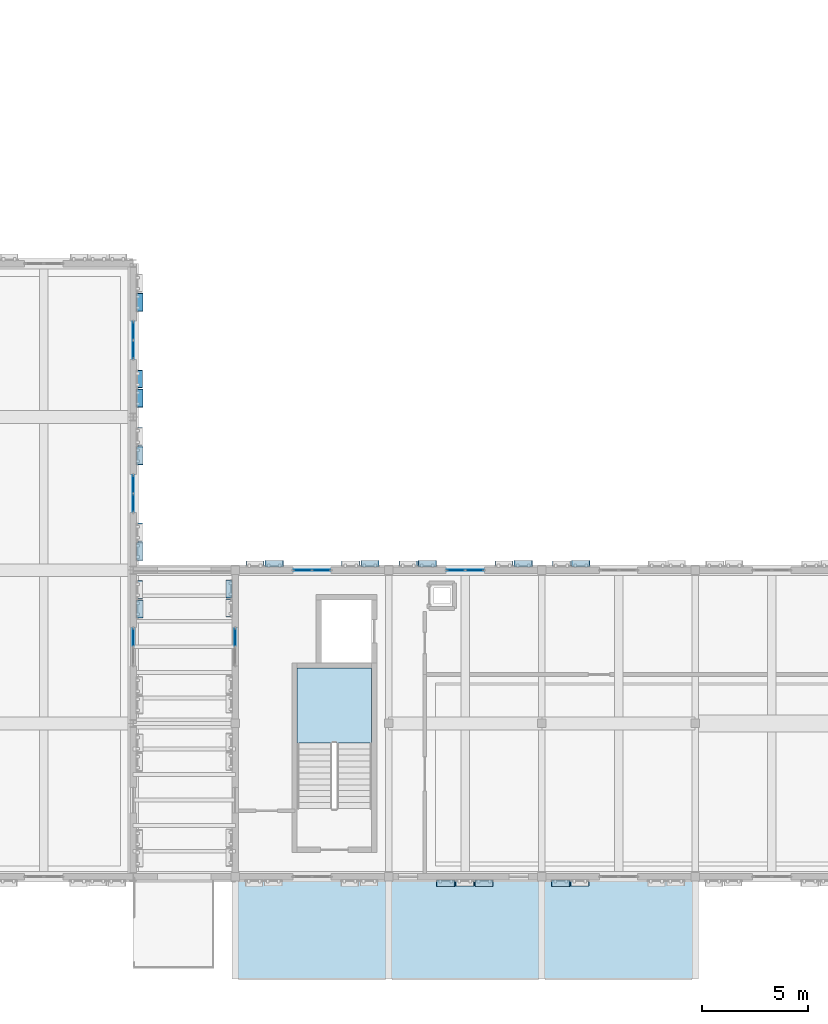
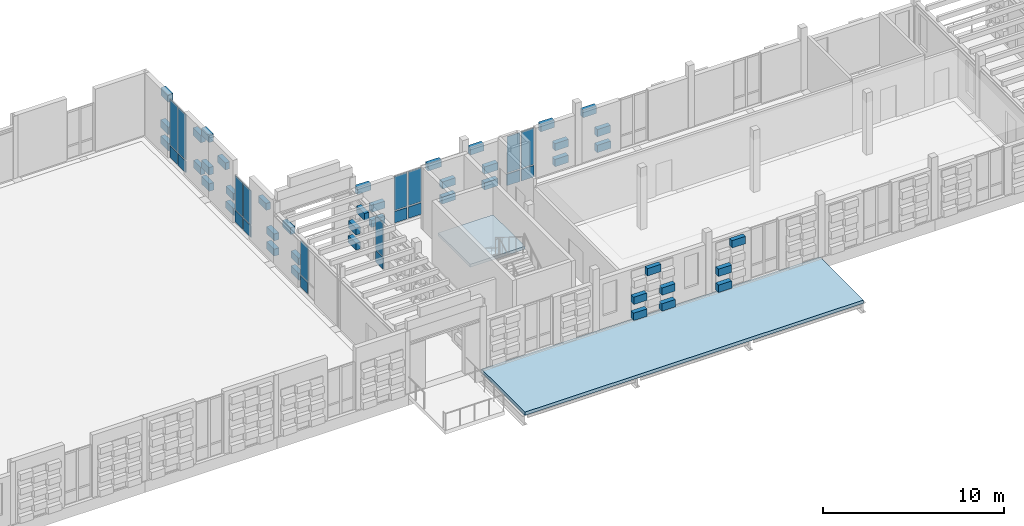
# One storey, part 45 of 99: 63 plates, 2 slabs, 7 elements without a shape of their own.
"""IFC4 building model written with IfcOpenShell, lengths in metres."""

from ifc_helpers import new_model, si_unit, direction, frame, origin, origin_2d, place, context, subcontext, project, spatial, polyline, rectangle, outline, extrude, material, layer, layer_set, type_object, element, aggregate, save


model = new_model("IFC4")

# Units and contexts
model_context = context("Model", 3, precision=1e-05, world=origin(), true_north=direction((0.0, 1.0)))
body_context = subcontext(model_context, "Body", "Model", "MODEL_VIEW")
ifc_project = project(units=[si_unit("LENGTHUNIT", "METRE"), si_unit("AREAUNIT", "SQUARE_METRE"), si_unit("VOLUMEUNIT", "CUBIC_METRE"), si_unit("PLANEANGLEUNIT", "RADIAN"), si_unit("MASSUNIT", "GRAM", prefix="KILO")], contexts=[model_context])

# Site, building, storey
site_placement = place(None, origin())
site = spatial("IfcSite", under=ifc_project, at=site_placement, CompositionType="ELEMENT")
building_placement = place(site_placement, origin())
building = spatial("IfcBuilding", under=site, at=building_placement, Name="Kahlenmark Community Centre", CompositionType="ELEMENT")
storey_placement = place(building_placement, frame((0.0, 0.0, 5.39990234375)))
storey = spatial("IfcBuildingStorey", under=building, at=storey_placement, Name="L01", CompositionType="ELEMENT", Elevation=5.39990234375)

# Curtain wall, plate
ifc_material_1 = material(Name="Anodised aluminium unitised curtain wall", Category="aluminium")
curtain_wall_type_1 = type_object("IfcCurtainWallType", Name="CWT-UNIT-180X321", PredefinedType="USERDEFINED", material=ifc_material_1)
curtain_wall_1_placement = place(storey_placement, origin())
curtain_wall_1 = element("IfcCurtainWall", 1, at=curtain_wall_1_placement, inside=storey, type_object=curtain_wall_type_1, Name="Unitised curtain wall CW-006", ObjectType="UNITISED CURTAIN WALL", PredefinedType="USERDEFINED")
ifc_material_2 = material(Name="Triple low-e solar-control glass unit", Category="glass")
ifc_layer_1 = layer(ifc_material_2, 0.0439453125)
ifc_layer_set_1 = layer_set([ifc_layer_1], Name="Triple low-e solar-control glass unit")
plate_type_1 = type_object("IfcPlateType", Name="PLT-CW-GLZ-820X2280", PredefinedType="CURTAIN_PANEL", material=ifc_layer_set_1)
plate_1_placement = place(storey_placement, frame((46.0, 20.050048828125, 0.89013671875), z_axis=(0.0, 0.0, 1.0), x_axis=(0.0, 1.0, 0.0)))
plate_1 = element("IfcPlate", 2, at=plate_1_placement, type_object=plate_type_1, Name="CW-006 glazed panel 2", PredefinedType="CURTAIN_PANEL", context=body_context, shape_type="SweptSolid", body=[
    extrude(rectangle(XDim=0.820068359375, YDim=0.0439453125, at=origin_2d()), origin(), (0.0, 0.0, 1.0), 2.280029296875),
])

# Curtain wall, plates
curtain_wall_2_placement = place(storey_placement, origin())
curtain_wall_2 = element("IfcCurtainWall", 3, at=curtain_wall_2_placement, inside=storey, type_object=curtain_wall_type_1, Name="Unitised curtain wall CW-007", ObjectType="UNITISED CURTAIN WALL", PredefinedType="USERDEFINED")
plate_2_placement = place(storey_placement, frame((46.0, 26.35009765625, 0.89013671875), z_axis=(0.0, 0.0, 1.0), x_axis=(0.0, 1.0, 0.0)))
plate_2 = element("IfcPlate", 4, at=plate_2_placement, type_object=plate_type_1, Name="CW-007 glazed panel 1", PredefinedType="CURTAIN_PANEL", context=body_context, shape_type="SweptSolid", body=[
    extrude(rectangle(XDim=0.820068359375, YDim=0.0439453125, at=origin_2d()), origin(), (0.0, 0.0, 1.0), 2.280029296875),
])
plate_3_placement = place(storey_placement, frame((46.0, 27.25, 0.89013671875), z_axis=(0.0, 0.0, 1.0), x_axis=(0.0, 1.0, 0.0)))
plate_3 = element("IfcPlate", 5, at=plate_3_placement, type_object=plate_type_1, Name="CW-007 glazed panel 2", PredefinedType="CURTAIN_PANEL", context=body_context, shape_type="SweptSolid", body=[
    extrude(rectangle(XDim=0.820068359375, YDim=0.0439453125, at=origin_2d()), origin(), (0.0, 0.0, 1.0), 2.280029296875),
])

curtain_wall_3_placement = place(storey_placement, origin())
curtain_wall_3 = element("IfcCurtainWall", 6, at=curtain_wall_3_placement, inside=storey, type_object=curtain_wall_type_1, Name="Unitised curtain wall CW-023", ObjectType="UNITISED CURTAIN WALL", PredefinedType="USERDEFINED")
plate_4_placement = place(storey_placement, frame((54.85009765625, 23.199951171875, 0.89013671875), z_axis=(0.0, 0.0, 1.0), x_axis=(-1.0, 0.0, 0.0)))
plate_4 = element("IfcPlate", 7, at=plate_4_placement, type_object=plate_type_1, Name="CW-023 glazed panel 1", PredefinedType="CURTAIN_PANEL", context=body_context, shape_type="SweptSolid", body=[
    extrude(rectangle(XDim=0.820068359375, YDim=0.0439453125, at=origin_2d()), origin(), (0.0, 0.0, 1.0), 2.280029296875),
])
plate_5_placement = place(storey_placement, frame((53.949951171875, 23.199951171875, 0.89013671875), z_axis=(0.0, 0.0, 1.0), x_axis=(-1.0, 0.0, 0.0)))
plate_5 = element("IfcPlate", 8, at=plate_5_placement, type_object=plate_type_1, Name="CW-023 glazed panel 2", PredefinedType="CURTAIN_PANEL", context=body_context, shape_type="SweptSolid", body=[
    extrude(rectangle(XDim=0.820068359375, YDim=0.0439453125, at=origin_2d()), origin(), (0.0, 0.0, 1.0), 2.280029296875),
])

# Curtain wall, plate
curtain_wall_4_placement = place(storey_placement, origin())
curtain_wall_4 = element("IfcCurtainWall", 9, at=curtain_wall_4_placement, inside=storey, type_object=curtain_wall_type_1, Name="Unitised curtain wall CW-027", ObjectType="UNITISED CURTAIN WALL", PredefinedType="USERDEFINED")
plate_6_placement = place(storey_placement, frame((50.800048828125, 20.050048828125, 0.89013671875), z_axis=(0.0, 0.0, 1.0), x_axis=(0.0, -1.0, 0.0)))
plate_6 = element("IfcPlate", 10, at=plate_6_placement, type_object=plate_type_1, Name="CW-027 glazed panel 1", PredefinedType="CURTAIN_PANEL", context=body_context, shape_type="SweptSolid", body=[
    extrude(rectangle(XDim=0.820068359375, YDim=0.0439453125, at=origin_2d()), origin(), (0.0, 0.0, 1.0), 2.280029296875),
])

# Curtain wall, plates
curtain_wall_type_2 = type_object("IfcCurtainWallType", Name="CWT-UNIT-180X337", PredefinedType="USERDEFINED", material=ifc_material_1)
curtain_wall_5_placement = place(storey_placement, origin())
curtain_wall_5 = element("IfcCurtainWall", 11, at=curtain_wall_5_placement, inside=storey, type_object=curtain_wall_type_2, Name="Unitised curtain wall CW-024", ObjectType="UNITISED CURTAIN WALL", PredefinedType="USERDEFINED")
ifc_layer_2 = layer(ifc_material_2, 0.0439453125)
ifc_layer_set_2 = layer_set([ifc_layer_2], Name="Triple low-e solar-control glass unit")
plate_type_2 = type_object("IfcPlateType", Name="PLT-CW-GLZ-820X2440", PredefinedType="CURTAIN_PANEL", material=ifc_layer_set_2)
plate_7_placement = place(storey_placement, frame((62.050048828125, 23.199951171875, 0.89013671875), z_axis=(0.0, 0.0, 1.0), x_axis=(-1.0, 0.0, 0.0)))
plate_7 = element("IfcPlate", 12, at=plate_7_placement, type_object=plate_type_2, Name="CW-024 glazed panel 1", PredefinedType="CURTAIN_PANEL", context=body_context, shape_type="SweptSolid", body=[
    extrude(rectangle(XDim=0.820068359375, YDim=0.0439453125, at=origin_2d()), origin(), (0.0, 0.0, 1.0), 2.43994140625),
])
plate_8_placement = place(storey_placement, frame((61.14990234375, 23.199951171875, 0.89013671875), z_axis=(0.0, 0.0, 1.0), x_axis=(-1.0, 0.0, 0.0)))
plate_8 = element("IfcPlate", 13, at=plate_8_placement, type_object=plate_type_2, Name="CW-024 glazed panel 2", PredefinedType="CURTAIN_PANEL", context=body_context, shape_type="SweptSolid", body=[
    extrude(rectangle(XDim=0.820068359375, YDim=0.0439453125, at=origin_2d()), origin(), (0.0, 0.0, 1.0), 2.43994140625),
])

curtain_wall_type_3 = type_object("IfcCurtainWallType", Name="CWT-UNIT-180X398", PredefinedType="USERDEFINED", material=ifc_material_1)
curtain_wall_6_placement = place(storey_placement, origin())
curtain_wall_6 = element("IfcCurtainWall", 14, at=curtain_wall_6_placement, inside=storey, type_object=curtain_wall_type_3, Name="Unitised curtain wall CW-008", ObjectType="UNITISED CURTAIN WALL", PredefinedType="USERDEFINED")
ifc_layer_3 = layer(ifc_material_2, 0.0439453125)
ifc_layer_set_3 = layer_set([ifc_layer_3], Name="Triple low-e solar-control glass unit")
plate_type_3 = type_object("IfcPlateType", Name="PLT-CW-GLZ-820X3050", PredefinedType="CURTAIN_PANEL", material=ifc_layer_set_3)
plate_9_placement = place(storey_placement, frame((46.0, 33.550048828125, 0.89013671875), z_axis=(0.0, 0.0, 1.0), x_axis=(0.0, 1.0, 0.0)))
plate_9 = element("IfcPlate", 15, at=plate_9_placement, type_object=plate_type_3, Name="CW-008 glazed panel 1", PredefinedType="CURTAIN_PANEL", context=body_context, shape_type="SweptSolid", body=[
    extrude(rectangle(XDim=0.820068359375, YDim=0.0439453125, at=origin_2d()), origin(), (0.0, 0.0, 1.0), 3.050048828125),
])
plate_10_placement = place(storey_placement, frame((46.0, 34.449951171875, 0.89013671875), z_axis=(0.0, 0.0, 1.0), x_axis=(0.0, 1.0, 0.0)))
plate_10 = element("IfcPlate", 16, at=plate_10_placement, type_object=plate_type_3, Name="CW-008 glazed panel 2", PredefinedType="CURTAIN_PANEL", context=body_context, shape_type="SweptSolid", body=[
    extrude(rectangle(XDim=0.820068359375, YDim=0.0439453125, at=origin_2d()), origin(), (0.0, 0.0, 1.0), 3.050048828125),
])

# Plate
ifc_material_3 = material(Name="Warm terracotta insulated spandrel cassette", Category="masonry")
ifc_layer_4 = layer(ifc_material_3, 0.06005859375)
ifc_layer_set_4 = layer_set([ifc_layer_4], Name="Warm terracotta insulated spandrel cassette")
plate_type_4 = type_object("IfcPlateType", Name="PLT-CW-SPD-820X770", PredefinedType="CURTAIN_PANEL", material=ifc_layer_set_4)
plate_11_placement = place(storey_placement, frame((46.0, 20.050048828125, 0.0400390625), z_axis=(0.0, 0.0, 1.0), x_axis=(0.0, 1.0, 0.0)))
plate_11 = element("IfcPlate", 17, at=plate_11_placement, type_object=plate_type_4, Name="CW-006 spandrel 2", PredefinedType="CURTAIN_PANEL", context=body_context, shape_type="SweptSolid", body=[
    extrude(rectangle(XDim=0.820068359375, YDim=0.06005859375, at=origin_2d()), origin(), (0.0, 0.0, 1.0), 0.77001953125),
])

aggregate(curtain_wall_1, [plate_11, plate_1])

plate_12_placement = place(storey_placement, frame((46.0, 26.35009765625, 0.0400390625), z_axis=(0.0, 0.0, 1.0), x_axis=(0.0, 1.0, 0.0)))
plate_12 = element("IfcPlate", 18, at=plate_12_placement, type_object=plate_type_4, Name="CW-007 spandrel 1", PredefinedType="CURTAIN_PANEL", context=body_context, shape_type="SweptSolid", body=[
    extrude(rectangle(XDim=0.820068359375, YDim=0.06005859375, at=origin_2d()), origin(), (0.0, 0.0, 1.0), 0.77001953125),
])

plate_13_placement = place(storey_placement, frame((46.0, 27.25, 0.0400390625), z_axis=(0.0, 0.0, 1.0), x_axis=(0.0, 1.0, 0.0)))
plate_13 = element("IfcPlate", 19, at=plate_13_placement, type_object=plate_type_4, Name="CW-007 spandrel 2", PredefinedType="CURTAIN_PANEL", context=body_context, shape_type="SweptSolid", body=[
    extrude(rectangle(XDim=0.820068359375, YDim=0.06005859375, at=origin_2d()), origin(), (0.0, 0.0, 1.0), 0.77001953125),
])

aggregate(curtain_wall_2, [plate_12, plate_2, plate_13, plate_3])

plate_14_placement = place(storey_placement, frame((46.0, 33.550048828125, 0.0400390625), z_axis=(0.0, 0.0, 1.0), x_axis=(0.0, 1.0, 0.0)))
plate_14 = element("IfcPlate", 20, at=plate_14_placement, type_object=plate_type_4, Name="CW-008 spandrel 1", PredefinedType="CURTAIN_PANEL", context=body_context, shape_type="SweptSolid", body=[
    extrude(rectangle(XDim=0.820068359375, YDim=0.06005859375, at=origin_2d()), origin(), (0.0, 0.0, 1.0), 0.77001953125),
])

plate_15_placement = place(storey_placement, frame((46.0, 34.449951171875, 0.0400390625), z_axis=(0.0, 0.0, 1.0), x_axis=(0.0, 1.0, 0.0)))
plate_15 = element("IfcPlate", 21, at=plate_15_placement, type_object=plate_type_4, Name="CW-008 spandrel 2", PredefinedType="CURTAIN_PANEL", context=body_context, shape_type="SweptSolid", body=[
    extrude(rectangle(XDim=0.820068359375, YDim=0.06005859375, at=origin_2d()), origin(), (0.0, 0.0, 1.0), 0.77001953125),
])

aggregate(curtain_wall_6, [plate_14, plate_9, plate_15, plate_10])

plate_16_placement = place(storey_placement, frame((54.85009765625, 23.199951171875, 0.0400390625), z_axis=(0.0, 0.0, 1.0), x_axis=(-1.0, 0.0, 0.0)))
plate_16 = element("IfcPlate", 22, at=plate_16_placement, type_object=plate_type_4, Name="CW-023 spandrel 1", PredefinedType="CURTAIN_PANEL", context=body_context, shape_type="SweptSolid", body=[
    extrude(rectangle(XDim=0.820068359375, YDim=0.06005859375, at=origin_2d()), origin(), (0.0, 0.0, 1.0), 0.77001953125),
])

plate_17_placement = place(storey_placement, frame((53.949951171875, 23.199951171875, 0.0400390625), z_axis=(0.0, 0.0, 1.0), x_axis=(-1.0, 0.0, 0.0)))
plate_17 = element("IfcPlate", 23, at=plate_17_placement, type_object=plate_type_4, Name="CW-023 spandrel 2", PredefinedType="CURTAIN_PANEL", context=body_context, shape_type="SweptSolid", body=[
    extrude(rectangle(XDim=0.820068359375, YDim=0.06005859375, at=origin_2d()), origin(), (0.0, 0.0, 1.0), 0.77001953125),
])

aggregate(curtain_wall_3, [plate_16, plate_4, plate_17, plate_5])

plate_18_placement = place(storey_placement, frame((62.050048828125, 23.199951171875, 0.0400390625), z_axis=(0.0, 0.0, 1.0), x_axis=(-1.0, 0.0, 0.0)))
plate_18 = element("IfcPlate", 24, at=plate_18_placement, type_object=plate_type_4, Name="CW-024 spandrel 1", PredefinedType="CURTAIN_PANEL", context=body_context, shape_type="SweptSolid", body=[
    extrude(rectangle(XDim=0.820068359375, YDim=0.06005859375, at=origin_2d()), origin(), (0.0, 0.0, 1.0), 0.77001953125),
])

plate_19_placement = place(storey_placement, frame((61.14990234375, 23.199951171875, 0.0400390625), z_axis=(0.0, 0.0, 1.0), x_axis=(-1.0, 0.0, 0.0)))
plate_19 = element("IfcPlate", 25, at=plate_19_placement, type_object=plate_type_4, Name="CW-024 spandrel 2", PredefinedType="CURTAIN_PANEL", context=body_context, shape_type="SweptSolid", body=[
    extrude(rectangle(XDim=0.820068359375, YDim=0.06005859375, at=origin_2d()), origin(), (0.0, 0.0, 1.0), 0.77001953125),
])

aggregate(curtain_wall_5, [plate_18, plate_7, plate_19, plate_8])

plate_20_placement = place(storey_placement, frame((50.800048828125, 20.050048828125, 0.0400390625), z_axis=(0.0, 0.0, 1.0), x_axis=(0.0, -1.0, 0.0)))
plate_20 = element("IfcPlate", 26, at=plate_20_placement, type_object=plate_type_4, Name="CW-027 spandrel 1", PredefinedType="CURTAIN_PANEL", context=body_context, shape_type="SweptSolid", body=[
    extrude(rectangle(XDim=0.820068359375, YDim=0.06005859375, at=origin_2d()), origin(), (0.0, 0.0, 1.0), 0.77001953125),
])

aggregate(curtain_wall_4, [plate_20, plate_6])

# Plates
ifc_material_4 = material(Name="Extruded glazed terracotta weave cassette", Category="masonry")
ifc_layer_5 = layer(ifc_material_4, 0.300048828125)
ifc_layer_set_5 = layer_set([ifc_layer_5], Name="Extruded glazed terracotta weave cassette")
plate_type_5 = type_object("IfcPlateType", Name="PLT-TC-TC-R34-820X300X506", PredefinedType="SHEET", material=ifc_layer_set_5)
for number, where, z_axis, x_axis, name in (
    (27, (46.300048828125, 31.280029296875, 3.3759765625), (0.0, 0.0, 1.0), (0.0, 1.0, 0.0), "Basketweave terracotta cassette 0463"),
    (28, (46.300048828125, 35.780029296875, 3.3759765625), (0.0, 0.0, 1.0), (0.0, 1.0, 0.0), "Basketweave terracotta cassette 0477"),
):
    element("IfcPlate", number, at=place(storey_placement, frame(where, z_axis=z_axis, x_axis=x_axis)), inside=storey, type_object=plate_type_5, Name=name, PredefinedType="SHEET", context=body_context, shape_type="SweptSolid", body=[
        extrude(rectangle(XDim=0.820068359375, YDim=0.300048828125, at=origin_2d()), origin(), (0.0, 0.0, 1.0), 0.506103515625),
    ])
ifc_layer_6 = layer(ifc_material_4, 0.300048828125)
ifc_layer_set_6 = layer_set([ifc_layer_6], Name="Extruded glazed terracotta weave cassette")
plate_type_6 = type_object("IfcPlateType", Name="PLT-TC-TC-R34-840X300X468", PredefinedType="SHEET", material=ifc_layer_set_6)
for number, where, z_axis, x_axis, name in (
    (29, (46.300048828125, 21.3798828125, 1.1162109375), (0.0, 0.0, 1.0), (0.0, 1.0, 0.0), "Basketweave terracotta cassette 0423"),
    (30, (46.300048828125, 24.080078125, 1.1162109375), (0.0, 0.0, 1.0), (0.0, 1.0, 0.0), "Basketweave terracotta cassette 0435"),
    (31, (46.300048828125, 28.580078125, 1.1162109375), (0.0, 0.0, 1.0), (0.0, 1.0, 0.0), "Basketweave terracotta cassette 0447"),
    (32, (57.1201171875, 23.5, 1.1162109375), (0.0, 0.0, 1.0), (-1.0, 0.0, 0.0), "Basketweave terracotta cassette 1051"),
    (33, (52.6201171875, 23.5, 1.1162109375), (0.0, 0.0, 1.0), (-1.0, 0.0, 0.0), "Basketweave terracotta cassette 1063"),
    (34, (50.5, 22.320068359375, 1.1162109375), (0.0, 0.0, 1.0), (0.0, -1.0, 0.0), "Basketweave terracotta cassette 1189"),
):
    element("IfcPlate", number, at=place(storey_placement, frame(where, z_axis=z_axis, x_axis=x_axis)), inside=storey, type_object=plate_type_6, Name=name, PredefinedType="SHEET", context=body_context, shape_type="SweptSolid", body=[
        extrude(rectangle(XDim=0.840087890625, YDim=0.300048828125, at=origin_2d()), origin(), (0.0, 0.0, 1.0), 0.468017578125),
    ])
ifc_layer_7 = layer(ifc_material_4, 0.300048828125)
ifc_layer_set_7 = layer_set([ifc_layer_7], Name="Extruded glazed terracotta weave cassette")
plate_type_7 = type_object("IfcPlateType", Name="PLT-TC-TC-R34-840X300X495", PredefinedType="SHEET", material=ifc_layer_set_7)
for number, where, z_axis, x_axis, name in (
    (35, (60.679931640625, 8.5, 1.169921875), (0.0, 0.0, 1.0), (1.0, 0.0, 0.0), "Basketweave terracotta cassette 0961"),
    (36, (62.47998046875, 8.5, 1.169921875), (0.0, 0.0, 1.0), (1.0, 0.0, 0.0), "Basketweave terracotta cassette 0973"),
    (37, (66.080078125, 8.5, 1.169921875), (0.0, 0.0, 1.0), (1.0, 0.0, 0.0), "Basketweave terracotta cassette 0979"),
    (38, (64.320068359375, 23.5, 1.169921875), (0.0, 0.0, 1.0), (-1.0, 0.0, 0.0), "Basketweave terracotta cassette 1075"),
    (39, (59.820068359375, 23.5, 1.169921875), (0.0, 0.0, 1.0), (-1.0, 0.0, 0.0), "Basketweave terracotta cassette 1087"),
    (40, (67.02001953125, 23.5, 1.169921875), (0.0, 0.0, 1.0), (-1.0, 0.0, 0.0), "Basketweave terracotta cassette 1111"),
):
    element("IfcPlate", number, at=place(storey_placement, frame(where, z_axis=z_axis, x_axis=x_axis)), inside=storey, type_object=plate_type_7, Name=name, PredefinedType="SHEET", context=body_context, shape_type="SweptSolid", body=[
        extrude(rectangle(XDim=0.840087890625, YDim=0.300048828125, at=origin_2d()), origin(), (0.0, 0.0, 1.0), 0.4951171875),
    ])
ifc_layer_8 = layer(ifc_material_4, 0.300048828125)
ifc_layer_set_8 = layer_set([ifc_layer_8], Name="Extruded glazed terracotta weave cassette")
plate_type_8 = type_object("IfcPlateType", Name="PLT-TC-TC-R34-840X300X506", PredefinedType="SHEET", material=ifc_layer_set_8)
for number, where, z_axis, x_axis, name in (
    (41, (46.300048828125, 31.280029296875, 1.19189453125), (0.0, 0.0, 1.0), (0.0, 1.0, 0.0), "Basketweave terracotta cassette 0459"),
    (42, (46.300048828125, 35.780029296875, 1.19189453125), (0.0, 0.0, 1.0), (0.0, 1.0, 0.0), "Basketweave terracotta cassette 0473"),
):
    element("IfcPlate", number, at=place(storey_placement, frame(where, z_axis=z_axis, x_axis=x_axis)), inside=storey, type_object=plate_type_8, Name=name, PredefinedType="SHEET", context=body_context, shape_type="SweptSolid", body=[
        extrude(rectangle(XDim=0.840087890625, YDim=0.300048828125, at=origin_2d()), origin(), (0.0, 0.0, 1.0), 0.506103515625),
    ])
ifc_layer_9 = layer(ifc_material_4, 0.300048828125)
ifc_layer_set_9 = layer_set([ifc_layer_9], Name="Extruded glazed terracotta weave cassette")
plate_type_9 = type_object("IfcPlateType", Name="PLT-TC-TC-R34-860X300X468", PredefinedType="SHEET", material=ifc_layer_set_9)
for number, where, z_axis, x_axis, name in (
    (43, (46.300048828125, 21.3798828125, 0.10009765625), (0.0, 0.0, 1.0), (0.0, 1.0, 0.0), "Basketweave terracotta cassette 0421"),
    (44, (46.300048828125, 24.080078125, 0.10009765625), (0.0, 0.0, 1.0), (0.0, 1.0, 0.0), "Basketweave terracotta cassette 0433"),
    (45, (46.300048828125, 28.580078125, 0.10009765625), (0.0, 0.0, 1.0), (0.0, 1.0, 0.0), "Basketweave terracotta cassette 0445"),
    (46, (57.1201171875, 23.5, 0.10009765625), (0.0, 0.0, 1.0), (-1.0, 0.0, 0.0), "Basketweave terracotta cassette 1049"),
    (47, (52.6201171875, 23.5, 0.10009765625), (0.0, 0.0, 1.0), (-1.0, 0.0, 0.0), "Basketweave terracotta cassette 1061"),
    (48, (50.5, 22.320068359375, 0.10009765625), (0.0, 0.0, 1.0), (0.0, -1.0, 0.0), "Basketweave terracotta cassette 1187"),
):
    element("IfcPlate", number, at=place(storey_placement, frame(where, z_axis=z_axis, x_axis=x_axis)), inside=storey, type_object=plate_type_9, Name=name, PredefinedType="SHEET", context=body_context, shape_type="SweptSolid", body=[
        extrude(rectangle(XDim=0.860107421875, YDim=0.300048828125, at=origin_2d()), origin(), (0.0, 0.0, 1.0), 0.468017578125),
    ])
ifc_layer_10 = layer(ifc_material_4, 0.300048828125)
ifc_layer_set_10 = layer_set([ifc_layer_10], Name="Extruded glazed terracotta weave cassette")
plate_type_10 = type_object("IfcPlateType", Name="PLT-TC-TC-R34-860X300X495", PredefinedType="SHEET", material=ifc_layer_set_10)
for number, where, z_axis, x_axis, name in (
    (49, (60.679931640625, 8.5, 0.10009765625), (0.0, 0.0, 1.0), (1.0, 0.0, 0.0), "Basketweave terracotta cassette 0959"),
    (50, (62.47998046875, 8.5, 0.10009765625), (0.0, 0.0, 1.0), (1.0, 0.0, 0.0), "Basketweave terracotta cassette 0971"),
    (51, (66.080078125, 8.5, 0.10009765625), (0.0, 0.0, 1.0), (1.0, 0.0, 0.0), "Basketweave terracotta cassette 0977"),
    (52, (64.320068359375, 23.5, 0.10009765625), (0.0, 0.0, 1.0), (-1.0, 0.0, 0.0), "Basketweave terracotta cassette 1073"),
    (53, (59.820068359375, 23.5, 0.10009765625), (0.0, 0.0, 1.0), (-1.0, 0.0, 0.0), "Basketweave terracotta cassette 1085"),
    (54, (67.02001953125, 23.5, 0.10009765625), (0.0, 0.0, 1.0), (-1.0, 0.0, 0.0), "Basketweave terracotta cassette 1109"),
):
    element("IfcPlate", number, at=place(storey_placement, frame(where, z_axis=z_axis, x_axis=x_axis)), inside=storey, type_object=plate_type_10, Name=name, PredefinedType="SHEET", context=body_context, shape_type="SweptSolid", body=[
        extrude(rectangle(XDim=0.860107421875, YDim=0.300048828125, at=origin_2d()), origin(), (0.0, 0.0, 1.0), 0.4951171875),
    ])
ifc_layer_11 = layer(ifc_material_4, 0.300048828125)
ifc_layer_set_11 = layer_set([ifc_layer_11], Name="Extruded glazed terracotta weave cassette")
plate_type_11 = type_object("IfcPlateType", Name="PLT-TC-TC-R34-860X300X506", PredefinedType="SHEET", material=ifc_layer_set_11)
for number, where, z_axis, x_axis, name in (
    (55, (46.300048828125, 31.280029296875, 0.10009765625), (0.0, 0.0, 1.0), (0.0, 1.0, 0.0), "Basketweave terracotta cassette 0457"),
    (56, (46.300048828125, 35.780029296875, 0.10009765625), (0.0, 0.0, 1.0), (0.0, 1.0, 0.0), "Basketweave terracotta cassette 0471"),
):
    element("IfcPlate", number, at=place(storey_placement, frame(where, z_axis=z_axis, x_axis=x_axis)), inside=storey, type_object=plate_type_11, Name=name, PredefinedType="SHEET", context=body_context, shape_type="SweptSolid", body=[
        extrude(rectangle(XDim=0.860107421875, YDim=0.300048828125, at=origin_2d()), origin(), (0.0, 0.0, 1.0), 0.506103515625),
    ])
ifc_layer_12 = layer(ifc_material_4, 0.280029296875)
ifc_layer_set_12 = layer_set([ifc_layer_12], Name="Extruded glazed terracotta weave cassette")
plate_type_12 = type_object("IfcPlateType", Name="PLT-TC-TC-W30-820X280X506", PredefinedType="SHEET", material=ifc_layer_set_12)
plate_21_placement = place(storey_placement, frame((46.2900390625, 32.179931640625, 0.64599609375), z_axis=(0.0, 0.0, 1.0), x_axis=(0.0, 1.0, 0.0)))
element("IfcPlate", 57, at=plate_21_placement, inside=storey, type_object=plate_type_12, Name="Basketweave terracotta cassette 0465", PredefinedType="SHEET", context=body_context, shape_type="SweptSolid", body=[
    extrude(rectangle(XDim=0.820068359375, YDim=0.280029296875, at=origin_2d()), origin(), (0.0, 0.0, 1.0), 0.506103515625),
])
ifc_layer_13 = layer(ifc_material_4, 0.280029296875)
ifc_layer_set_13 = layer_set([ifc_layer_13], Name="Extruded glazed terracotta weave cassette")
plate_type_13 = type_object("IfcPlateType", Name="PLT-TC-TC-W30-860X280X468", PredefinedType="SHEET", material=ifc_layer_set_13)
for number, where, z_axis, x_axis, name in (
    (58, (46.2900390625, 22.280029296875, 2.64013671875), (0.0, 0.0, 1.0), (0.0, 1.0, 0.0), "Basketweave terracotta cassette 0432"),
    (59, (46.2900390625, 24.97998046875, 2.64013671875), (0.0, 0.0, 1.0), (0.0, 1.0, 0.0), "Basketweave terracotta cassette 0444"),
    (60, (46.2900390625, 29.47998046875, 2.64013671875), (0.0, 0.0, 1.0), (0.0, 1.0, 0.0), "Basketweave terracotta cassette 0456"),
    (61, (56.219970703125, 23.489990234375, 2.64013671875), (0.0, 0.0, 1.0), (-1.0, 0.0, 0.0), "Basketweave terracotta cassette 1060"),
    (62, (51.719970703125, 23.489990234375, 2.64013671875), (0.0, 0.0, 1.0), (-1.0, 0.0, 0.0), "Basketweave terracotta cassette 1072"),
    (63, (50.510009765625, 21.419921875, 2.64013671875), (0.0, 0.0, 1.0), (0.0, -1.0, 0.0), "Basketweave terracotta cassette 1198"),
):
    element("IfcPlate", number, at=place(storey_placement, frame(where, z_axis=z_axis, x_axis=x_axis)), inside=storey, type_object=plate_type_13, Name=name, PredefinedType="SHEET", context=body_context, shape_type="SweptSolid", body=[
        extrude(rectangle(XDim=0.860107421875, YDim=0.280029296875, at=origin_2d()), origin(), (0.0, 0.0, 1.0), 0.468017578125),
    ])
ifc_layer_14 = layer(ifc_material_4, 0.280029296875)
ifc_layer_set_14 = layer_set([ifc_layer_14], Name="Extruded glazed terracotta weave cassette")
plate_type_14 = type_object("IfcPlateType", Name="PLT-TC-TC-W30-860X280X495", PredefinedType="SHEET", material=ifc_layer_set_14)
for number, where, z_axis, x_axis, name in (
    (64, (61.580078125, 8.510009765625, 2.775146484375), (0.0, 0.0, 1.0), (1.0, 0.0, 0.0), "Basketweave terracotta cassette 0970"),
    (65, (66.97998046875, 8.510009765625, 2.775146484375), (0.0, 0.0, 1.0), (1.0, 0.0, 0.0), "Basketweave terracotta cassette 0988"),
    (66, (63.419921875, 23.489990234375, 2.775146484375), (0.0, 0.0, 1.0), (-1.0, 0.0, 0.0), "Basketweave terracotta cassette 1084"),
    (67, (58.919921875, 23.489990234375, 2.775146484375), (0.0, 0.0, 1.0), (-1.0, 0.0, 0.0), "Basketweave terracotta cassette 1096"),
    (68, (66.1201171875, 23.489990234375, 2.775146484375), (0.0, 0.0, 1.0), (-1.0, 0.0, 0.0), "Basketweave terracotta cassette 1120"),
):
    element("IfcPlate", number, at=place(storey_placement, frame(where, z_axis=z_axis, x_axis=x_axis)), inside=storey, type_object=plate_type_14, Name=name, PredefinedType="SHEET", context=body_context, shape_type="SweptSolid", body=[
        extrude(rectangle(XDim=0.860107421875, YDim=0.280029296875, at=origin_2d()), origin(), (0.0, 0.0, 1.0), 0.4951171875),
    ])
ifc_layer_15 = layer(ifc_material_4, 0.280029296875)
ifc_layer_set_15 = layer_set([ifc_layer_15], Name="Extruded glazed terracotta weave cassette")
plate_type_15 = type_object("IfcPlateType", Name="PLT-TC-TC-W30-860X280X506", PredefinedType="SHEET", material=ifc_layer_set_15)
plate_22_placement = place(storey_placement, frame((46.2900390625, 32.179931640625, 2.830078125), z_axis=(0.0, 0.0, 1.0), x_axis=(0.0, 1.0, 0.0)))
element("IfcPlate", 69, at=plate_22_placement, inside=storey, type_object=plate_type_15, Name="Basketweave terracotta cassette 0469", PredefinedType="SHEET", context=body_context, shape_type="SweptSolid", body=[
    extrude(rectangle(XDim=0.860107421875, YDim=0.280029296875, at=origin_2d()), origin(), (0.0, 0.0, 1.0), 0.506103515625),
])

# Stair, slab
ifc_material_5 = material(Name="Concrete C35/45", Category="concrete")
stair_type = type_object("IfcStairType", Name="STT-CORE-ST-03-175", PredefinedType="HALF_TURN_STAIR", material=ifc_material_5)
stair_placement = place(storey_placement, origin())
stair = element("IfcStair", 70, at=stair_placement, inside=storey, type_object=stair_type, Name="L01 Core K3 Escape Stair ST-03", PredefinedType="HALF_TURN_STAIR")
ifc_layer_16 = layer(ifc_material_5, 0.199951171875)
ifc_layer_set_16 = layer_set([ifc_layer_16], Name="Concrete C35/45")
slab_type_1 = type_object("IfcSlabType", Name="SLT-CORE-200", PredefinedType="LANDING", material=ifc_layer_set_16)
slab_1_placement = place(storey_placement, frame((0.0, 0.0, 1.900146484375)))
slab_1 = element("IfcSlab", 71, at=slab_1_placement, type_object=slab_type_1, Name="ST-03 landing 1", PredefinedType="LANDING", context=body_context, shape_type="SweptSolid", body=[
    extrude(outline(polyline([(57.199951171875, 15.080078125), (57.199951171875, 18.60009765625), (53.699951171875, 18.60009765625), (53.699951171875, 15.080078125), (57.199951171875, 15.080078125)])), origin(), (0.0, 0.0, 1.0), 0.199951171875),
])
aggregate(stair, [slab_1])

# Slab
ifc_material_6 = material(Name="Cross-laminated timber CLT C24", Category="wood")
ifc_layer_17 = layer(ifc_material_6, 0.219970703125)
ifc_layer_set_17 = layer_set([ifc_layer_17], Name="Cross-laminated timber CLT C24")
slab_type_2 = type_object("IfcSlabType", Name="ST-RF-CAN220", PredefinedType="ROOF", material=ifc_layer_set_17)
slab_2_placement = place(storey_placement, frame((0.0, 0.0, -0.349853515625)))
element("IfcSlab", 72, at=slab_2_placement, inside=storey, type_object=slab_type_2, Name="South Avenue cantilevered entrance canopy deck", PredefinedType="ROOF", context=body_context, shape_type="SweptSolid", body=[
    extrude(outline(polyline([(50.800048828125, 4.0), (72.39990234375, 4.0), (72.39990234375, 8.800048828125), (50.800048828125, 8.800048828125), (50.800048828125, 4.0)])), origin(), (0.0, 0.0, 1.0), 0.219970703125),
])

save(model, "model.ifc")
